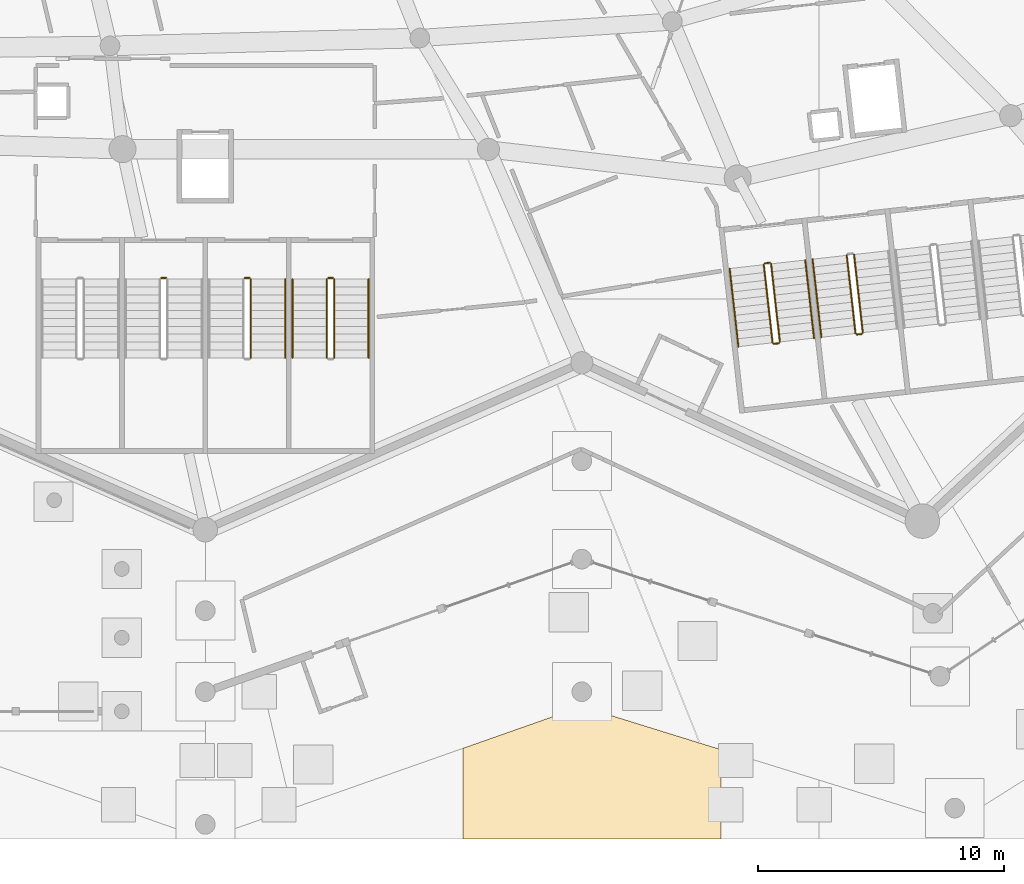
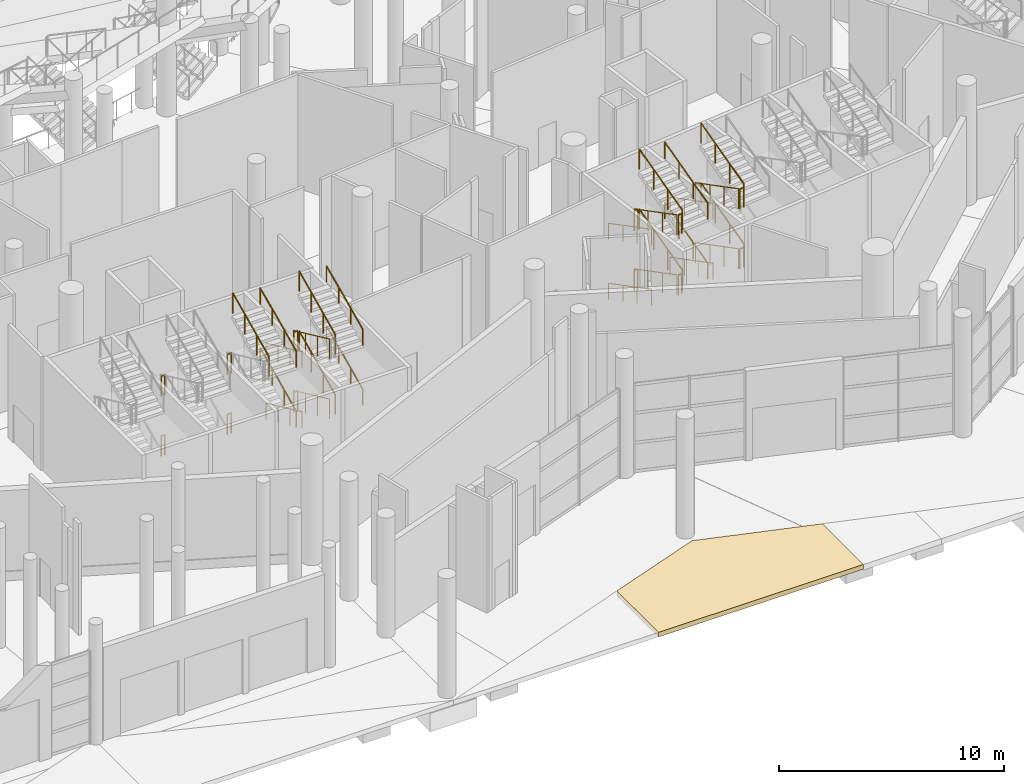
# One storey, part 205 of 255: 37 railings, 1 covering.
"""IFC4 building model written with IfcOpenShell, lengths in metres."""

from ifc_helpers import new_model, si_unit, direction, frame, origin, origin_2d, place, context, subcontext, project, spatial, polyline, circle, outline, extrude, material, layer, layer_set, type_object, element, save


model = new_model("IFC4")

# Units and contexts
model_context = context("Model", 3, precision=1e-05, world=origin(), true_north=direction((0.0, 1.0)))
body_context = subcontext(model_context, "Body", "Model", "MODEL_VIEW")
ifc_project = project(units=[si_unit("LENGTHUNIT", "METRE"), si_unit("AREAUNIT", "SQUARE_METRE"), si_unit("VOLUMEUNIT", "CUBIC_METRE"), si_unit("PLANEANGLEUNIT", "RADIAN"), si_unit("MASSUNIT", "GRAM", prefix="KILO")], contexts=[model_context])

# Site, building, storey
site_placement = place(None, origin())
site = spatial("IfcSite", under=ifc_project, at=site_placement, CompositionType="ELEMENT")
building_placement = place(site_placement, origin())
building = spatial("IfcBuilding", under=site, at=building_placement, Name="Meseta Stadium", CompositionType="ELEMENT")
storey_placement = place(building_placement, origin())
storey = spatial("IfcBuildingStorey", under=building, at=storey_placement, Name="L00", CompositionType="ELEMENT", Elevation=0.0)

# Covering
ifc_material_1 = material(Name="Guadarrama granite paving on bedding", Category="masonry")
ifc_layer = layer(ifc_material_1, 0.25)
ifc_layer_set = layer_set([ifc_layer], Name="Ground paving 250")
covering_type = type_object("IfcCoveringType", Name="Ground paving 250", PredefinedType="FLOORING", material=ifc_layer_set)
covering_placement = place(storey_placement, frame((0.0, 0.0, -0.25)))
element("IfcCovering", 1, at=covering_placement, inside=storey, type_object=covering_type, Name="Forecourt paving 07", PredefinedType="FLOORING", context=body_context, shape_type="SweptSolid", body=[
    extrude(outline(polyline([(33.499755859375, -118.0), (43.9990234375, -118.0), (43.999755859375, -114.35888671875), (38.333251953125, -112.60009765625), (33.499755859375, -114.30224609375), (33.499755859375, -118.0)])), origin(), (0.0, 0.0, 1.0), 0.25),
])

# Railings
ifc_material_2 = material(Name="Steel S355", Category="steel")
railing_type_1 = type_object("IfcRailingType", Name="Stair guard 1100", PredefinedType="GUARDRAIL", material=ifc_material_2)
for number, where, name in (
    (2, (21.199951171875, -95.14990234375, 3.25), "ST98 L00 guard 4"),
    (3, (21.199951171875, -95.14990234375, 0.0), "ST98 L00 guard 8"),
    (4, (24.60009765625, -95.14990234375, 3.25), "ST99 L00 guard 4"),
):
    element("IfcRailing", number, at=place(storey_placement, frame(where)), inside=storey, type_object=railing_type_1, Name=name, PredefinedType="GUARDRAIL", context=body_context, shape_type="SweptSolid", body=[
        extrude(circle(Radius=0.02392578125, at=origin_2d()), frame((0.0, 0.0, 1.076171875), z_axis=(1.0, 0.0, 0.0), x_axis=(0.0, 1.0, 0.0)), (0.0, 0.0, 1.0), 0.199951171875),
        extrude(circle(Radius=0.02099609375, at=origin_2d()), origin(), (0.0, 0.0, 1.0), 1.052001953125),
        extrude(circle(Radius=0.02099609375, at=origin_2d()), frame((0.199951171875, 0.0, 0.0)), (0.0, 0.0, 1.0), 1.052001953125),
    ])
railing_1_placement = place(storey_placement, frame((24.85009765625, -98.39990234375, 5.022705078125)))
element("IfcRailing", 5, at=railing_1_placement, inside=storey, type_object=railing_type_1, Name="ST99 L00 guard 7", PredefinedType="GUARDRAIL", context=body_context, shape_type="SweptSolid", body=[
    extrude(circle(Radius=0.02392578125, at=origin_2d()), frame((0.0, 0.0, 1.076171875), z_axis=(0.0, 0.907916804346, 0.419150422148), x_axis=(-1.0, 0.0, 0.0)), (0.0, 0.0, 1.0), 3.5244140625),
    extrude(circle(Radius=0.02099609375, at=origin_2d()), origin(), (0.0, 0.0, 1.0), 1.052001953125),
    extrude(circle(Radius=0.02099609375, at=origin_2d()), frame((0.0, 1.066650390625, 0.492431640625)), (0.0, 0.0, 1.0), 1.052001953125),
    extrude(circle(Radius=0.02099609375, at=origin_2d()), frame((0.0, 2.13330078125, 0.98486328125)), (0.0, 0.0, 1.0), 1.052001953125),
    extrude(circle(Radius=0.02099609375, at=origin_2d()), frame((0.0, 3.199951171875, 1.477294921875)), (0.0, 0.0, 1.0), 1.052001953125),
])
railing_2_placement = place(storey_placement, frame((24.60009765625, -95.14990234375, 0.0)))
element("IfcRailing", 6, at=railing_2_placement, inside=storey, type_object=railing_type_1, Name="ST99 L00 guard 8", PredefinedType="GUARDRAIL", context=body_context, shape_type="SweptSolid", body=[
    extrude(circle(Radius=0.02392578125, at=origin_2d()), frame((0.0, 0.0, 1.076171875), z_axis=(1.0, 0.0, 0.0), x_axis=(0.0, 1.0, 0.0)), (0.0, 0.0, 1.0), 0.199951171875),
    extrude(circle(Radius=0.02099609375, at=origin_2d()), origin(), (0.0, 0.0, 1.0), 1.052001953125),
    extrude(circle(Radius=0.02099609375, at=origin_2d()), frame((0.199951171875, 0.0, 0.0)), (0.0, 0.0, 1.0), 1.052001953125),
])
railing_3_placement = place(storey_placement, frame((27.949951171875, -95.199951171875, 0.147705078125)))
element("IfcRailing", 7, at=railing_3_placement, inside=storey, type_object=railing_type_1, Name="ST100 L00 guard 1", PredefinedType="GUARDRAIL", context=body_context, shape_type="SweptSolid", body=[
    extrude(circle(Radius=0.02392578125, at=origin_2d()), frame((0.0, 0.0, 1.076171875), z_axis=(0.0, -0.907916804346, 0.419150422148), x_axis=(1.0, 0.0, 0.0)), (0.0, 0.0, 1.0), 3.5244140625),
    extrude(circle(Radius=0.02099609375, at=origin_2d()), origin(), (0.0, 0.0, 1.0), 1.052001953125),
    extrude(circle(Radius=0.02099609375, at=origin_2d()), frame((0.0, -1.066650390625, 0.492431640625)), (0.0, 0.0, 1.0), 1.052001953125),
    extrude(circle(Radius=0.02099609375, at=origin_2d()), frame((0.0, -2.13330078125, 0.98486328125)), (0.0, 0.0, 1.0), 1.052001953125),
    extrude(circle(Radius=0.02099609375, at=origin_2d()), frame((0.0, -3.199951171875, 1.477294921875)), (0.0, 0.0, 1.0), 1.052001953125),
])
railing_4_placement = place(storey_placement, frame((28.25, -98.39990234375, 1.772705078125)))
element("IfcRailing", 8, at=railing_4_placement, inside=storey, type_object=railing_type_1, Name="ST100 L00 guard 3", PredefinedType="GUARDRAIL", context=body_context, shape_type="SweptSolid", body=[
    extrude(circle(Radius=0.02392578125, at=origin_2d()), frame((0.0, 0.0, 1.076171875), z_axis=(0.0, 0.907916804346, 0.419150422148), x_axis=(-1.0, 0.0, 0.0)), (0.0, 0.0, 1.0), 3.5244140625),
    extrude(circle(Radius=0.02099609375, at=origin_2d()), origin(), (0.0, 0.0, 1.0), 1.052001953125),
    extrude(circle(Radius=0.02099609375, at=origin_2d()), frame((0.0, 1.066650390625, 0.492431640625)), (0.0, 0.0, 1.0), 1.052001953125),
    extrude(circle(Radius=0.02099609375, at=origin_2d()), frame((0.0, 2.13330078125, 0.98486328125)), (0.0, 0.0, 1.0), 1.052001953125),
    extrude(circle(Radius=0.02099609375, at=origin_2d()), frame((0.0, 3.199951171875, 1.477294921875)), (0.0, 0.0, 1.0), 1.052001953125),
])
railing_5_placement = place(storey_placement, frame((28.0, -95.14990234375, 3.25)))
element("IfcRailing", 9, at=railing_5_placement, inside=storey, type_object=railing_type_1, Name="ST100 L00 guard 4", PredefinedType="GUARDRAIL", context=body_context, shape_type="SweptSolid", body=[
    extrude(circle(Radius=0.02392578125, at=origin_2d()), frame((0.0, 0.0, 1.076171875), z_axis=(1.0, 0.0, 0.0), x_axis=(0.0, 1.0, 0.0)), (0.0, 0.0, 1.0), 0.199951171875),
    extrude(circle(Radius=0.02099609375, at=origin_2d()), origin(), (0.0, 0.0, 1.0), 1.052001953125),
    extrude(circle(Radius=0.02099609375, at=origin_2d()), frame((0.199951171875, 0.0, 0.0)), (0.0, 0.0, 1.0), 1.052001953125),
])
railing_6_placement = place(storey_placement, frame((27.949951171875, -95.199951171875, 3.397705078125)))
element("IfcRailing", 10, at=railing_6_placement, inside=storey, type_object=railing_type_1, Name="ST100 L00 guard 5", PredefinedType="GUARDRAIL", context=body_context, shape_type="SweptSolid", body=[
    extrude(circle(Radius=0.02392578125, at=origin_2d()), frame((0.0, 0.0, 1.076171875), z_axis=(0.0, -0.907916804346, 0.419150422148), x_axis=(1.0, 0.0, 0.0)), (0.0, 0.0, 1.0), 3.5244140625),
    extrude(circle(Radius=0.02099609375, at=origin_2d()), origin(), (0.0, 0.0, 1.0), 1.052001953125),
    extrude(circle(Radius=0.02099609375, at=origin_2d()), frame((0.0, -1.066650390625, 0.492431640625)), (0.0, 0.0, 1.0), 1.052001953125),
    extrude(circle(Radius=0.02099609375, at=origin_2d()), frame((0.0, -2.13330078125, 0.98486328125)), (0.0, 0.0, 1.0), 1.052001953125),
    extrude(circle(Radius=0.02099609375, at=origin_2d()), frame((0.0, -3.199951171875, 1.477294921875)), (0.0, 0.0, 1.0), 1.052001953125),
])
railing_7_placement = place(storey_placement, frame((28.25, -98.39990234375, 5.022705078125)))
element("IfcRailing", 11, at=railing_7_placement, inside=storey, type_object=railing_type_1, Name="ST100 L00 guard 7", PredefinedType="GUARDRAIL", context=body_context, shape_type="SweptSolid", body=[
    extrude(circle(Radius=0.02392578125, at=origin_2d()), frame((0.0, 0.0, 1.076171875), z_axis=(0.0, 0.907916804346, 0.419150422148), x_axis=(-1.0, 0.0, 0.0)), (0.0, 0.0, 1.0), 3.5244140625),
    extrude(circle(Radius=0.02099609375, at=origin_2d()), origin(), (0.0, 0.0, 1.0), 1.052001953125),
    extrude(circle(Radius=0.02099609375, at=origin_2d()), frame((0.0, 1.066650390625, 0.492431640625)), (0.0, 0.0, 1.0), 1.052001953125),
    extrude(circle(Radius=0.02099609375, at=origin_2d()), frame((0.0, 2.13330078125, 0.98486328125)), (0.0, 0.0, 1.0), 1.052001953125),
    extrude(circle(Radius=0.02099609375, at=origin_2d()), frame((0.0, 3.199951171875, 1.477294921875)), (0.0, 0.0, 1.0), 1.052001953125),
])
railing_8_placement = place(storey_placement, frame((28.0, -95.14990234375, 0.0)))
element("IfcRailing", 12, at=railing_8_placement, inside=storey, type_object=railing_type_1, Name="ST100 L00 guard 8", PredefinedType="GUARDRAIL", context=body_context, shape_type="SweptSolid", body=[
    extrude(circle(Radius=0.02392578125, at=origin_2d()), frame((0.0, 0.0, 1.076171875), z_axis=(1.0, 0.0, 0.0), x_axis=(0.0, 1.0, 0.0)), (0.0, 0.0, 1.0), 0.199951171875),
    extrude(circle(Radius=0.02099609375, at=origin_2d()), origin(), (0.0, 0.0, 1.0), 1.052001953125),
    extrude(circle(Radius=0.02099609375, at=origin_2d()), frame((0.199951171875, 0.0, 0.0)), (0.0, 0.0, 1.0), 1.052001953125),
])
railing_9_placement = place(storey_placement, frame((45.742919921875, -94.609375, 0.147705078125)))
element("IfcRailing", 13, at=railing_9_placement, inside=storey, type_object=railing_type_1, Name="ST101 L00 guard 1", PredefinedType="GUARDRAIL", context=body_context, shape_type="SweptSolid", body=[
    extrude(circle(Radius=0.02392578125, at=origin_2d()), frame((0.0, 0.0, 1.076171875), z_axis=(0.101691169215, -0.902197403174, 0.419164349402), x_axis=(0.993707560215, 0.112005735442, 0.0)), (0.0, 0.0, 1.0), 3.5244140625),
    extrude(circle(Radius=0.02099609375, at=origin_2d()), origin(), (0.0, 0.0, 1.0), 1.052001953125),
    extrude(circle(Radius=0.02099609375, at=origin_2d()), frame((0.119384765625, -1.059814453125, 0.492431640625)), (0.0, 0.0, 1.0), 1.052001953125),
    extrude(circle(Radius=0.02099609375, at=origin_2d()), frame((0.239013671875, -2.119873046875, 0.98486328125)), (0.0, 0.0, 1.0), 1.052001953125),
    extrude(circle(Radius=0.02099609375, at=origin_2d()), frame((0.3583984375, -3.1796875, 1.477294921875)), (0.0, 0.0, 1.0), 1.052001953125),
])
railing_10_placement = place(storey_placement, frame((46.156494140625, -97.833251953125, 1.625)))
element("IfcRailing", 14, at=railing_10_placement, inside=storey, type_object=railing_type_1, Name="ST101 L00 guard 2", PredefinedType="GUARDRAIL", context=body_context, shape_type="SweptSolid", body=[
    extrude(circle(Radius=0.02392578125, at=origin_2d()), frame((0.0, 0.0, 1.076171875), z_axis=(0.993688916384, 0.112171018782, 0.0), x_axis=(-0.112171018782, 0.993688916384, 0.0)), (0.0, 0.0, 1.0), 0.2001953125),
    extrude(circle(Radius=0.02099609375, at=origin_2d()), origin(), (0.0, 0.0, 1.0), 1.052001953125),
    extrude(circle(Radius=0.02099609375, at=origin_2d()), frame((0.198974609375, 0.0224609375, 0.0)), (0.0, 0.0, 1.0), 1.052001953125),
])
railing_11_placement = place(storey_placement, frame((46.3994140625, -97.755615234375, 1.772705078125)))
element("IfcRailing", 15, at=railing_11_placement, inside=storey, type_object=railing_type_1, Name="ST101 L00 guard 3", PredefinedType="GUARDRAIL", context=body_context, shape_type="SweptSolid", body=[
    extrude(circle(Radius=0.02392578125, at=origin_2d()), frame((0.0, 0.0, 1.076171875), z_axis=(-0.101616262084, 0.902216641888, 0.419141105571), x_axis=(-0.993717005286, -0.11192190762, 0.0)), (0.0, 0.0, 1.0), 3.524658203125),
    extrude(circle(Radius=0.02099609375, at=origin_2d()), origin(), (0.0, 0.0, 1.0), 1.052001953125),
    extrude(circle(Radius=0.02099609375, at=origin_2d()), frame((-0.119384765625, 1.06005859375, 0.492431640625)), (0.0, 0.0, 1.0), 1.052001953125),
    extrude(circle(Radius=0.02099609375, at=origin_2d()), frame((-0.23876953125, 2.119873046875, 0.98486328125)), (0.0, 0.0, 1.0), 1.052001953125),
    extrude(circle(Radius=0.02099609375, at=origin_2d()), frame((-0.358154296875, 3.179931640625, 1.477294921875)), (0.0, 0.0, 1.0), 1.052001953125),
])
railing_12_placement = place(storey_placement, frame((45.787109375, -94.553955078125, 3.25)))
element("IfcRailing", 16, at=railing_12_placement, inside=storey, type_object=railing_type_1, Name="ST101 L00 guard 4", PredefinedType="GUARDRAIL", context=body_context, shape_type="SweptSolid", body=[
    extrude(circle(Radius=0.02392578125, at=origin_2d()), frame((0.0, 0.0, 1.076171875), z_axis=(0.993673547442, 0.112307083986, 0.0), x_axis=(-0.112307083986, 0.993673547442, 0.0)), (0.0, 0.0, 1.0), 0.199951171875),
    extrude(circle(Radius=0.02099609375, at=origin_2d()), origin(), (0.0, 0.0, 1.0), 1.052001953125),
    extrude(circle(Radius=0.02099609375, at=origin_2d()), frame((0.19873046875, 0.0224609375, 0.0)), (0.0, 0.0, 1.0), 1.052001953125),
])
railing_13_placement = place(storey_placement, frame((45.742919921875, -94.609375, 3.397705078125)))
element("IfcRailing", 17, at=railing_13_placement, inside=storey, type_object=railing_type_1, Name="ST101 L00 guard 5", PredefinedType="GUARDRAIL", context=body_context, shape_type="SweptSolid", body=[
    extrude(circle(Radius=0.02392578125, at=origin_2d()), frame((0.0, 0.0, 1.076171875), z_axis=(0.101691169215, -0.902197403174, 0.419164349402), x_axis=(0.993707560215, 0.112005735442, 0.0)), (0.0, 0.0, 1.0), 3.5244140625),
    extrude(circle(Radius=0.02099609375, at=origin_2d()), origin(), (0.0, 0.0, 1.0), 1.052001953125),
    extrude(circle(Radius=0.02099609375, at=origin_2d()), frame((0.119384765625, -1.059814453125, 0.492431640625)), (0.0, 0.0, 1.0), 1.052001953125),
    extrude(circle(Radius=0.02099609375, at=origin_2d()), frame((0.239013671875, -2.119873046875, 0.98486328125)), (0.0, 0.0, 1.0), 1.052001953125),
    extrude(circle(Radius=0.02099609375, at=origin_2d()), frame((0.3583984375, -3.1796875, 1.477294921875)), (0.0, 0.0, 1.0), 1.052001953125),
])
railing_14_placement = place(storey_placement, frame((46.156494140625, -97.833251953125, 4.875)))
element("IfcRailing", 18, at=railing_14_placement, inside=storey, type_object=railing_type_1, Name="ST101 L00 guard 6", PredefinedType="GUARDRAIL", context=body_context, shape_type="SweptSolid", body=[
    extrude(circle(Radius=0.02392578125, at=origin_2d()), frame((0.0, 0.0, 1.076171875), z_axis=(0.993688916384, 0.112171018782, 0.0), x_axis=(-0.112171018782, 0.993688916384, 0.0)), (0.0, 0.0, 1.0), 0.2001953125),
    extrude(circle(Radius=0.02099609375, at=origin_2d()), origin(), (0.0, 0.0, 1.0), 1.052001953125),
    extrude(circle(Radius=0.02099609375, at=origin_2d()), frame((0.198974609375, 0.0224609375, 0.0)), (0.0, 0.0, 1.0), 1.052001953125),
])
railing_15_placement = place(storey_placement, frame((46.3994140625, -97.755615234375, 5.022705078125)))
element("IfcRailing", 19, at=railing_15_placement, inside=storey, type_object=railing_type_1, Name="ST101 L00 guard 7", PredefinedType="GUARDRAIL", context=body_context, shape_type="SweptSolid", body=[
    extrude(circle(Radius=0.02392578125, at=origin_2d()), frame((0.0, 0.0, 1.076171875), z_axis=(-0.101616262084, 0.902216641888, 0.419141105571), x_axis=(-0.993717005286, -0.11192190762, 0.0)), (0.0, 0.0, 1.0), 3.524658203125),
    extrude(circle(Radius=0.02099609375, at=origin_2d()), origin(), (0.0, 0.0, 1.0), 1.052001953125),
    extrude(circle(Radius=0.02099609375, at=origin_2d()), frame((-0.119384765625, 1.06005859375, 0.492431640625)), (0.0, 0.0, 1.0), 1.052001953125),
    extrude(circle(Radius=0.02099609375, at=origin_2d()), frame((-0.23876953125, 2.119873046875, 0.98486328125)), (0.0, 0.0, 1.0), 1.052001953125),
    extrude(circle(Radius=0.02099609375, at=origin_2d()), frame((-0.358154296875, 3.179931640625, 1.477294921875)), (0.0, 0.0, 1.0), 1.052001953125),
])
railing_16_placement = place(storey_placement, frame((45.787109375, -94.553955078125, 0.0)))
element("IfcRailing", 20, at=railing_16_placement, inside=storey, type_object=railing_type_1, Name="ST101 L00 guard 8", PredefinedType="GUARDRAIL", context=body_context, shape_type="SweptSolid", body=[
    extrude(circle(Radius=0.02392578125, at=origin_2d()), frame((0.0, 0.0, 1.076171875), z_axis=(0.993673547442, 0.112307083986, 0.0), x_axis=(-0.112307083986, 0.993673547442, 0.0)), (0.0, 0.0, 1.0), 0.199951171875),
    extrude(circle(Radius=0.02099609375, at=origin_2d()), origin(), (0.0, 0.0, 1.0), 1.052001953125),
    extrude(circle(Radius=0.02099609375, at=origin_2d()), frame((0.19873046875, 0.0224609375, 0.0)), (0.0, 0.0, 1.0), 1.052001953125),
])
railing_17_placement = place(storey_placement, frame((49.12158203125, -94.228515625, 0.147705078125)))
element("IfcRailing", 21, at=railing_17_placement, inside=storey, type_object=railing_type_1, Name="ST102 L00 guard 1", PredefinedType="GUARDRAIL", context=body_context, shape_type="SweptSolid", body=[
    extrude(circle(Radius=0.02392578125, at=origin_2d()), frame((0.0, 0.0, 1.076171875), z_axis=(0.10168481418, -0.902210289302, 0.419138154362), x_axis=(0.993708517288, 0.111997244021, 0.0)), (0.0, 0.0, 1.0), 3.524658203125),
    extrude(circle(Radius=0.02099609375, at=origin_2d()), origin(), (0.0, 0.0, 1.0), 1.052001953125),
    extrude(circle(Radius=0.02099609375, at=origin_2d()), frame((0.119384765625, -1.06005859375, 0.492431640625)), (0.0, 0.0, 1.0), 1.052001953125),
    extrude(circle(Radius=0.02099609375, at=origin_2d()), frame((0.239013671875, -2.119873046875, 0.98486328125)), (0.0, 0.0, 1.0), 1.052001953125),
    extrude(circle(Radius=0.02099609375, at=origin_2d()), frame((0.3583984375, -3.179931640625, 1.477294921875)), (0.0, 0.0, 1.0), 1.052001953125),
])
railing_18_placement = place(storey_placement, frame((49.53515625, -97.45263671875, 1.625)))
element("IfcRailing", 22, at=railing_18_placement, inside=storey, type_object=railing_type_1, Name="ST102 L00 guard 2", PredefinedType="GUARDRAIL", context=body_context, shape_type="SweptSolid", body=[
    extrude(circle(Radius=0.02392578125, at=origin_2d()), frame((0.0, 0.0, 1.076171875), z_axis=(0.993673547442, 0.112307083986, 0.0), x_axis=(-0.112307083986, 0.993673547442, 0.0)), (0.0, 0.0, 1.0), 0.199951171875),
    extrude(circle(Radius=0.02099609375, at=origin_2d()), origin(), (0.0, 0.0, 1.0), 1.052001953125),
    extrude(circle(Radius=0.02099609375, at=origin_2d()), frame((0.19873046875, 0.0224609375, 0.0)), (0.0, 0.0, 1.0), 1.052001953125),
])
railing_19_placement = place(storey_placement, frame((49.778076171875, -97.374755859375, 1.772705078125)))
element("IfcRailing", 23, at=railing_19_placement, inside=storey, type_object=railing_type_1, Name="ST102 L00 guard 3", PredefinedType="GUARDRAIL", context=body_context, shape_type="SweptSolid", body=[
    extrude(circle(Radius=0.02392578125, at=origin_2d()), frame((0.0, 0.0, 1.076171875), z_axis=(-0.101691169215, 0.902197403174, 0.419164349402), x_axis=(-0.993707560215, -0.112005735442, 0.0)), (0.0, 0.0, 1.0), 3.5244140625),
    extrude(circle(Radius=0.02099609375, at=origin_2d()), origin(), (0.0, 0.0, 1.0), 1.052001953125),
    extrude(circle(Radius=0.02099609375, at=origin_2d()), frame((-0.119384765625, 1.059814453125, 0.492431640625)), (0.0, 0.0, 1.0), 1.052001953125),
    extrude(circle(Radius=0.02099609375, at=origin_2d()), frame((-0.239013671875, 2.119873046875, 0.98486328125)), (0.0, 0.0, 1.0), 1.052001953125),
    extrude(circle(Radius=0.02099609375, at=origin_2d()), frame((-0.3583984375, 3.1796875, 1.477294921875)), (0.0, 0.0, 1.0), 1.052001953125),
])
railing_20_placement = place(storey_placement, frame((49.12158203125, -94.228515625, 3.397705078125)))
element("IfcRailing", 24, at=railing_20_placement, inside=storey, type_object=railing_type_1, Name="ST102 L00 guard 5", PredefinedType="GUARDRAIL", context=body_context, shape_type="SweptSolid", body=[
    extrude(circle(Radius=0.02392578125, at=origin_2d()), frame((0.0, 0.0, 1.076171875), z_axis=(0.10168481418, -0.902210289302, 0.419138154362), x_axis=(0.993708517288, 0.111997244021, 0.0)), (0.0, 0.0, 1.0), 3.524658203125),
    extrude(circle(Radius=0.02099609375, at=origin_2d()), origin(), (0.0, 0.0, 1.0), 1.052001953125),
    extrude(circle(Radius=0.02099609375, at=origin_2d()), frame((0.119384765625, -1.06005859375, 0.492431640625)), (0.0, 0.0, 1.0), 1.052001953125),
    extrude(circle(Radius=0.02099609375, at=origin_2d()), frame((0.239013671875, -2.119873046875, 0.98486328125)), (0.0, 0.0, 1.0), 1.052001953125),
    extrude(circle(Radius=0.02099609375, at=origin_2d()), frame((0.3583984375, -3.179931640625, 1.477294921875)), (0.0, 0.0, 1.0), 1.052001953125),
])
railing_21_placement = place(storey_placement, frame((49.53515625, -97.45263671875, 4.875)))
element("IfcRailing", 25, at=railing_21_placement, inside=storey, type_object=railing_type_1, Name="ST102 L00 guard 6", PredefinedType="GUARDRAIL", context=body_context, shape_type="SweptSolid", body=[
    extrude(circle(Radius=0.02392578125, at=origin_2d()), frame((0.0, 0.0, 1.076171875), z_axis=(0.993673547442, 0.112307083986, 0.0), x_axis=(-0.112307083986, 0.993673547442, 0.0)), (0.0, 0.0, 1.0), 0.199951171875),
    extrude(circle(Radius=0.02099609375, at=origin_2d()), origin(), (0.0, 0.0, 1.0), 1.052001953125),
    extrude(circle(Radius=0.02099609375, at=origin_2d()), frame((0.19873046875, 0.0224609375, 0.0)), (0.0, 0.0, 1.0), 1.052001953125),
])
railing_22_placement = place(storey_placement, frame((49.778076171875, -97.374755859375, 5.022705078125)))
element("IfcRailing", 26, at=railing_22_placement, inside=storey, type_object=railing_type_1, Name="ST102 L00 guard 7", PredefinedType="GUARDRAIL", context=body_context, shape_type="SweptSolid", body=[
    extrude(circle(Radius=0.02392578125, at=origin_2d()), frame((0.0, 0.0, 1.076171875), z_axis=(-0.101691169215, 0.902197403174, 0.419164349402), x_axis=(-0.993707560215, -0.112005735442, 0.0)), (0.0, 0.0, 1.0), 3.5244140625),
    extrude(circle(Radius=0.02099609375, at=origin_2d()), origin(), (0.0, 0.0, 1.0), 1.052001953125),
    extrude(circle(Radius=0.02099609375, at=origin_2d()), frame((-0.119384765625, 1.059814453125, 0.492431640625)), (0.0, 0.0, 1.0), 1.052001953125),
    extrude(circle(Radius=0.02099609375, at=origin_2d()), frame((-0.239013671875, 2.119873046875, 0.98486328125)), (0.0, 0.0, 1.0), 1.052001953125),
    extrude(circle(Radius=0.02099609375, at=origin_2d()), frame((-0.3583984375, 3.1796875, 1.477294921875)), (0.0, 0.0, 1.0), 1.052001953125),
])
ifc_material_3 = material(Name="Steel S355", Category="steel")
railing_type_2 = type_object("IfcRailingType", Name="Stair handrail 900", PredefinedType="HANDRAIL", material=ifc_material_3)
for number, where, name in (
    (27, (26.25, -98.39990234375, 1.772705078125), "ST99 L00 handrail 2"),
    (28, (26.25, -98.39990234375, 5.022705078125), "ST99 L00 handrail 4"),
):
    element("IfcRailing", number, at=place(storey_placement, frame(where)), inside=storey, type_object=railing_type_2, Name=name, PredefinedType="HANDRAIL", context=body_context, shape_type="SweptSolid", body=[
        extrude(circle(Radius=0.02392578125, at=origin_2d()), frame((0.0, 0.0, 0.8759765625), z_axis=(0.0, 0.907916804346, 0.419150422148), x_axis=(-1.0, 0.0, 0.0)), (0.0, 0.0, 1.0), 3.5244140625),
        extrude(circle(Radius=0.02099609375, at=origin_2d()), origin(), (0.0, 0.0, 1.0), 0.851806640625),
        extrude(circle(Radius=0.02099609375, at=origin_2d()), frame((0.0, 1.066650390625, 0.492431640625)), (0.0, 0.0, 1.0), 0.851806640625),
        extrude(circle(Radius=0.02099609375, at=origin_2d()), frame((0.0, 2.13330078125, 0.98486328125)), (0.0, 0.0, 1.0), 0.851806640625),
        extrude(circle(Radius=0.02099609375, at=origin_2d()), frame((0.0, 3.199951171875, 1.477294921875)), (0.0, 0.0, 1.0), 0.851806640625),
    ])
railing_23_placement = place(storey_placement, frame((26.550048828125, -95.199951171875, 0.147705078125)))
element("IfcRailing", 29, at=railing_23_placement, inside=storey, type_object=railing_type_2, Name="ST100 L00 handrail 1", PredefinedType="HANDRAIL", context=body_context, shape_type="SweptSolid", body=[
    extrude(circle(Radius=0.02392578125, at=origin_2d()), frame((0.0, 0.0, 0.8759765625), z_axis=(0.0, -0.907916804346, 0.419150422148), x_axis=(1.0, 0.0, 0.0)), (0.0, 0.0, 1.0), 3.5244140625),
    extrude(circle(Radius=0.02099609375, at=origin_2d()), origin(), (0.0, 0.0, 1.0), 0.851806640625),
    extrude(circle(Radius=0.02099609375, at=origin_2d()), frame((0.0, -1.066650390625, 0.492431640625)), (0.0, 0.0, 1.0), 0.851806640625),
    extrude(circle(Radius=0.02099609375, at=origin_2d()), frame((0.0, -2.13330078125, 0.98486328125)), (0.0, 0.0, 1.0), 0.851806640625),
    extrude(circle(Radius=0.02099609375, at=origin_2d()), frame((0.0, -3.199951171875, 1.477294921875)), (0.0, 0.0, 1.0), 0.851806640625),
])
railing_24_placement = place(storey_placement, frame((29.64990234375, -98.39990234375, 1.772705078125)))
element("IfcRailing", 30, at=railing_24_placement, inside=storey, type_object=railing_type_2, Name="ST100 L00 handrail 2", PredefinedType="HANDRAIL", context=body_context, shape_type="SweptSolid", body=[
    extrude(circle(Radius=0.02392578125, at=origin_2d()), frame((0.0, 0.0, 0.8759765625), z_axis=(0.0, 0.907916804346, 0.419150422148), x_axis=(-1.0, 0.0, 0.0)), (0.0, 0.0, 1.0), 3.5244140625),
    extrude(circle(Radius=0.02099609375, at=origin_2d()), origin(), (0.0, 0.0, 1.0), 0.851806640625),
    extrude(circle(Radius=0.02099609375, at=origin_2d()), frame((0.0, 1.066650390625, 0.492431640625)), (0.0, 0.0, 1.0), 0.851806640625),
    extrude(circle(Radius=0.02099609375, at=origin_2d()), frame((0.0, 2.13330078125, 0.98486328125)), (0.0, 0.0, 1.0), 0.851806640625),
    extrude(circle(Radius=0.02099609375, at=origin_2d()), frame((0.0, 3.199951171875, 1.477294921875)), (0.0, 0.0, 1.0), 0.851806640625),
])
railing_25_placement = place(storey_placement, frame((26.550048828125, -95.199951171875, 3.397705078125)))
element("IfcRailing", 31, at=railing_25_placement, inside=storey, type_object=railing_type_2, Name="ST100 L00 handrail 3", PredefinedType="HANDRAIL", context=body_context, shape_type="SweptSolid", body=[
    extrude(circle(Radius=0.02392578125, at=origin_2d()), frame((0.0, 0.0, 0.8759765625), z_axis=(0.0, -0.907916804346, 0.419150422148), x_axis=(1.0, 0.0, 0.0)), (0.0, 0.0, 1.0), 3.5244140625),
    extrude(circle(Radius=0.02099609375, at=origin_2d()), origin(), (0.0, 0.0, 1.0), 0.851806640625),
    extrude(circle(Radius=0.02099609375, at=origin_2d()), frame((0.0, -1.066650390625, 0.492431640625)), (0.0, 0.0, 1.0), 0.851806640625),
    extrude(circle(Radius=0.02099609375, at=origin_2d()), frame((0.0, -2.13330078125, 0.98486328125)), (0.0, 0.0, 1.0), 0.851806640625),
    extrude(circle(Radius=0.02099609375, at=origin_2d()), frame((0.0, -3.199951171875, 1.477294921875)), (0.0, 0.0, 1.0), 0.851806640625),
])
railing_26_placement = place(storey_placement, frame((29.64990234375, -98.39990234375, 5.022705078125)))
element("IfcRailing", 32, at=railing_26_placement, inside=storey, type_object=railing_type_2, Name="ST100 L00 handrail 4", PredefinedType="HANDRAIL", context=body_context, shape_type="SweptSolid", body=[
    extrude(circle(Radius=0.02392578125, at=origin_2d()), frame((0.0, 0.0, 0.8759765625), z_axis=(0.0, 0.907916804346, 0.419150422148), x_axis=(-1.0, 0.0, 0.0)), (0.0, 0.0, 1.0), 3.5244140625),
    extrude(circle(Radius=0.02099609375, at=origin_2d()), origin(), (0.0, 0.0, 1.0), 0.851806640625),
    extrude(circle(Radius=0.02099609375, at=origin_2d()), frame((0.0, 1.066650390625, 0.492431640625)), (0.0, 0.0, 1.0), 0.851806640625),
    extrude(circle(Radius=0.02099609375, at=origin_2d()), frame((0.0, 2.13330078125, 0.98486328125)), (0.0, 0.0, 1.0), 0.851806640625),
    extrude(circle(Radius=0.02099609375, at=origin_2d()), frame((0.0, 3.199951171875, 1.477294921875)), (0.0, 0.0, 1.0), 0.851806640625),
])
railing_27_placement = place(storey_placement, frame((44.351806640625, -94.76611328125, 0.147705078125)))
element("IfcRailing", 33, at=railing_27_placement, inside=storey, type_object=railing_type_2, Name="ST101 L00 handrail 1", PredefinedType="HANDRAIL", context=body_context, shape_type="SweptSolid", body=[
    extrude(circle(Radius=0.02392578125, at=origin_2d()), frame((0.0, 0.0, 0.8759765625), z_axis=(0.101691169215, -0.902197403174, 0.419164349402), x_axis=(0.993707560215, 0.112005735442, 0.0)), (0.0, 0.0, 1.0), 3.5244140625),
    extrude(circle(Radius=0.02099609375, at=origin_2d()), origin(), (0.0, 0.0, 1.0), 0.851806640625),
    extrude(circle(Radius=0.02099609375, at=origin_2d()), frame((0.119384765625, -1.059814453125, 0.492431640625)), (0.0, 0.0, 1.0), 0.851806640625),
    extrude(circle(Radius=0.02099609375, at=origin_2d()), frame((0.239013671875, -2.119873046875, 0.98486328125)), (0.0, 0.0, 1.0), 0.851806640625),
    extrude(circle(Radius=0.02099609375, at=origin_2d()), frame((0.3583984375, -3.1796875, 1.477294921875)), (0.0, 0.0, 1.0), 0.851806640625),
])
railing_28_placement = place(storey_placement, frame((47.79052734375, -97.598876953125, 1.772705078125)))
element("IfcRailing", 34, at=railing_28_placement, inside=storey, type_object=railing_type_2, Name="ST101 L00 handrail 2", PredefinedType="HANDRAIL", context=body_context, shape_type="SweptSolid", body=[
    extrude(circle(Radius=0.02392578125, at=origin_2d()), frame((0.0, 0.0, 0.8759765625), z_axis=(-0.101616262084, 0.902216641888, 0.419141105571), x_axis=(-0.993717005286, -0.11192190762, 0.0)), (0.0, 0.0, 1.0), 3.524658203125),
    extrude(circle(Radius=0.02099609375, at=origin_2d()), origin(), (0.0, 0.0, 1.0), 0.851806640625),
    extrude(circle(Radius=0.02099609375, at=origin_2d()), frame((-0.119384765625, 1.06005859375, 0.492431640625)), (0.0, 0.0, 1.0), 0.851806640625),
    extrude(circle(Radius=0.02099609375, at=origin_2d()), frame((-0.23876953125, 2.119873046875, 0.98486328125)), (0.0, 0.0, 1.0), 0.851806640625),
    extrude(circle(Radius=0.02099609375, at=origin_2d()), frame((-0.358154296875, 3.179931640625, 1.477294921875)), (0.0, 0.0, 1.0), 0.851806640625),
])
railing_29_placement = place(storey_placement, frame((44.351806640625, -94.76611328125, 3.397705078125)))
element("IfcRailing", 35, at=railing_29_placement, inside=storey, type_object=railing_type_2, Name="ST101 L00 handrail 3", PredefinedType="HANDRAIL", context=body_context, shape_type="SweptSolid", body=[
    extrude(circle(Radius=0.02392578125, at=origin_2d()), frame((0.0, 0.0, 0.8759765625), z_axis=(0.101691169215, -0.902197403174, 0.419164349402), x_axis=(0.993707560215, 0.112005735442, 0.0)), (0.0, 0.0, 1.0), 3.5244140625),
    extrude(circle(Radius=0.02099609375, at=origin_2d()), origin(), (0.0, 0.0, 1.0), 0.851806640625),
    extrude(circle(Radius=0.02099609375, at=origin_2d()), frame((0.119384765625, -1.059814453125, 0.492431640625)), (0.0, 0.0, 1.0), 0.851806640625),
    extrude(circle(Radius=0.02099609375, at=origin_2d()), frame((0.239013671875, -2.119873046875, 0.98486328125)), (0.0, 0.0, 1.0), 0.851806640625),
    extrude(circle(Radius=0.02099609375, at=origin_2d()), frame((0.3583984375, -3.1796875, 1.477294921875)), (0.0, 0.0, 1.0), 0.851806640625),
])
railing_30_placement = place(storey_placement, frame((47.79052734375, -97.598876953125, 5.022705078125)))
element("IfcRailing", 36, at=railing_30_placement, inside=storey, type_object=railing_type_2, Name="ST101 L00 handrail 4", PredefinedType="HANDRAIL", context=body_context, shape_type="SweptSolid", body=[
    extrude(circle(Radius=0.02392578125, at=origin_2d()), frame((0.0, 0.0, 0.8759765625), z_axis=(-0.101616262084, 0.902216641888, 0.419141105571), x_axis=(-0.993717005286, -0.11192190762, 0.0)), (0.0, 0.0, 1.0), 3.524658203125),
    extrude(circle(Radius=0.02099609375, at=origin_2d()), origin(), (0.0, 0.0, 1.0), 0.851806640625),
    extrude(circle(Radius=0.02099609375, at=origin_2d()), frame((-0.119384765625, 1.06005859375, 0.492431640625)), (0.0, 0.0, 1.0), 0.851806640625),
    extrude(circle(Radius=0.02099609375, at=origin_2d()), frame((-0.23876953125, 2.119873046875, 0.98486328125)), (0.0, 0.0, 1.0), 0.851806640625),
    extrude(circle(Radius=0.02099609375, at=origin_2d()), frame((-0.358154296875, 3.179931640625, 1.477294921875)), (0.0, 0.0, 1.0), 0.851806640625),
])
for number, where, name in (
    (37, (47.73046875, -94.38525390625, 0.147705078125), "ST102 L00 handrail 1"),
    (38, (47.73046875, -94.38525390625, 3.397705078125), "ST102 L00 handrail 3"),
):
    element("IfcRailing", number, at=place(storey_placement, frame(where)), inside=storey, type_object=railing_type_2, Name=name, PredefinedType="HANDRAIL", context=body_context, shape_type="SweptSolid", body=[
        extrude(circle(Radius=0.02392578125, at=origin_2d()), frame((0.0, 0.0, 0.8759765625), z_axis=(0.10168481418, -0.902210289302, 0.419138154362), x_axis=(0.993708517288, 0.111997244021, 0.0)), (0.0, 0.0, 1.0), 3.524658203125),
        extrude(circle(Radius=0.02099609375, at=origin_2d()), origin(), (0.0, 0.0, 1.0), 0.851806640625),
        extrude(circle(Radius=0.02099609375, at=origin_2d()), frame((0.119384765625, -1.06005859375, 0.492431640625)), (0.0, 0.0, 1.0), 0.851806640625),
        extrude(circle(Radius=0.02099609375, at=origin_2d()), frame((0.239013671875, -2.119873046875, 0.98486328125)), (0.0, 0.0, 1.0), 0.851806640625),
        extrude(circle(Radius=0.02099609375, at=origin_2d()), frame((0.3583984375, -3.179931640625, 1.477294921875)), (0.0, 0.0, 1.0), 0.851806640625),
    ])

save(model, "model.ifc")
